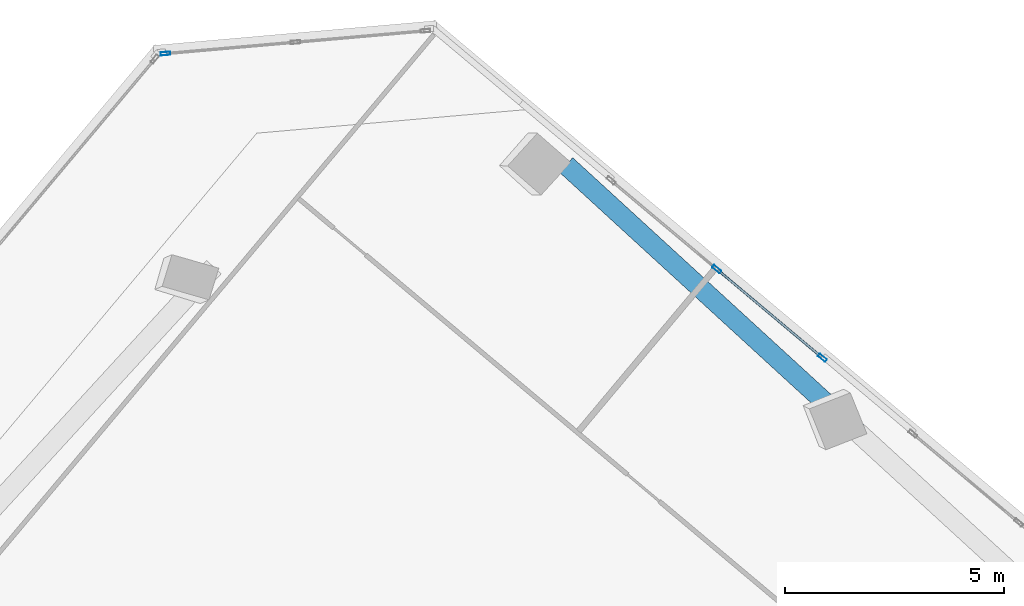
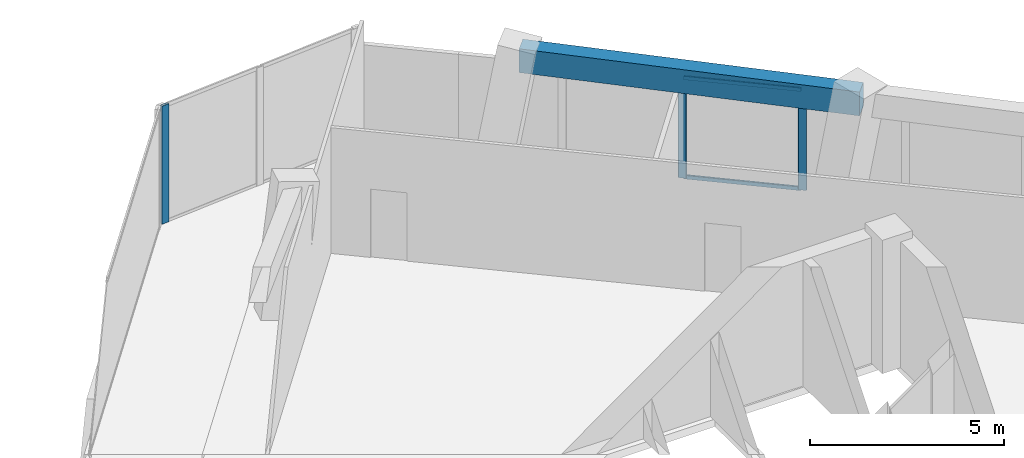
# One storey, part 10 of 18: 5 members, 1 beam, 2 elements without a shape of their own.
"""IFC4 building model written with IfcOpenShell, lengths in metres."""

from ifc_helpers import new_model, si_unit, direction, frame, origin, origin_2d, place, context, subcontext, project, spatial, rectangle, hollow_rectangle, extrude, source, transform, mapped, material, material_profile, profile_set, type_object, element, aggregate, save


model = new_model("IFC4")

# Units and contexts
model_context = context("Model", 3, precision=1e-05, world=origin(), true_north=direction((0.0, 1.0)))
body_context = subcontext(model_context, "Body", "Model", "MODEL_VIEW")
ifc_project = project(units=[si_unit("LENGTHUNIT", "METRE"), si_unit("AREAUNIT", "SQUARE_METRE"), si_unit("VOLUMEUNIT", "CUBIC_METRE"), si_unit("PLANEANGLEUNIT", "RADIAN"), si_unit("MASSUNIT", "GRAM", prefix="KILO")], contexts=[model_context])

# Site, building, storey
site_placement = place(None, origin())
site = spatial("IfcSite", under=ifc_project, at=site_placement, CompositionType="ELEMENT")
building_placement = place(site_placement, origin())
building = spatial("IfcBuilding", under=site, at=building_placement, Name="Torre Montelarca", CompositionType="ELEMENT")
storey_placement = place(building_placement, frame((0.0, 0.0, 224.800048828125)))
storey = spatial("IfcBuildingStorey", under=building, at=storey_placement, Name="L50", CompositionType="ELEMENT", Elevation=224.800048828125)

# Beam
ifc_material_1 = material(Name="Concrete C55/67", Category="concrete")
ifc_material_profile_1 = material_profile(ifc_material_1, rectangle(XDim=0.449951171875, YDim=0.75, at=origin_2d()), Name="RCB450X750", Category="concrete")
ifc_profile_set_1 = profile_set([ifc_material_profile_1], Name="Concrete C55/67")
beam_type = type_object("IfcBeamType", Name="BM-SP-RC750-EXT", PredefinedType="SPANDREL", material=ifc_profile_set_1)
shared_shape_1 = source(origin(), body_context, "Body", "SweptSolid", [
    extrude(rectangle(XDim=0.449951171875, YDim=0.75, at=origin_2d()), origin(), (0.0, 0.0, 1.0), 9.0),
])
beam_placement = place(storey_placement, frame((22.519287109375, 51.614501953125, 3.5849609375), z_axis=(0.73727686361, -0.675590724023, 0.0), x_axis=(0.675590724023, 0.73727686361, 0.0)))
element("IfcBeam", 1, at=beam_placement, inside=storey, type_object=beam_type, Name="L50 Grid Girder X 9.0-18.0 at Y=47.1", PredefinedType="SPANDREL", context=body_context, shape_type="MappedRepresentation", body=[
    mapped(shared_shape_1, transform((0.0, 0.0, 0.0), scale=1.0)),
])

# Curtain wall, member
ifc_material_2 = material(Name="Insulated low-E laminated glass", Category="glass")
curtain_wall_type = type_object("IfcCurtainWallType", Name="CW-SYS-Z3", PredefinedType="USERDEFINED", material=ifc_material_2)
curtain_wall_1_placement = place(storey_placement, origin())
curtain_wall_1 = element("IfcCurtainWall", 2, at=curtain_wall_1_placement, inside=storey, type_object=curtain_wall_type, Name="L50 Curtain Wall Run CW-T3-L50-E09-B1", ObjectType="UNITISED GLAZING", PredefinedType="USERDEFINED")
ifc_material_3 = material(Name="Anodised aluminium AA 6063-T6", Category="aluminium")
ifc_material_profile_2 = material_profile(ifc_material_3, hollow_rectangle(XDim=0.074951171875, YDim=0.219970703125, WallThickness=0.0048828125, InnerFilletRadius=0.0048828125, OuterFilletRadius=0.010009765625, at=origin_2d()), Name="ALU75X220X5", Category="aluminium")
ifc_profile_set_2 = profile_set([ifc_material_profile_2], Name="Anodised aluminium AA 6063-T6")
member_type_1 = type_object("IfcMemberType", Name="CWM-ALU220", PredefinedType="MULLION", material=ifc_profile_set_2)
shared_shape_2 = source(origin(), body_context, "Body", "SweptSolid", [
    extrude(hollow_rectangle(XDim=0.074951171875, YDim=0.219970703125, WallThickness=0.0048828125, InnerFilletRadius=0.0048828125, OuterFilletRadius=0.010009765625, at=origin_2d()), origin(), (0.0, 0.0, 1.0), 3.719970703125),
])
member_1_placement = place(storey_placement, frame((13.37744140625, 54.156494140625, 0.0), z_axis=(0.0, 0.0, 1.0), x_axis=(0.087182579501, -0.996192349816, 0.0)))
member_1 = element("IfcMember", 3, at=member_1_placement, type_object=member_type_1, Name="CW mullion 3", PredefinedType="MULLION", context=body_context, shape_type="MappedRepresentation", body=[
    mapped(shared_shape_2, transform((0.0, 0.0, 0.0), scale=1.0)),
])
aggregate(curtain_wall_1, [member_1])

# Curtain wall, members
curtain_wall_2_placement = place(storey_placement, origin())
curtain_wall_2 = element("IfcCurtainWall", 4, at=curtain_wall_2_placement, inside=storey, type_object=curtain_wall_type, Name="L50 Curtain Wall Run CW-T3-L50-E08-B3", ObjectType="UNITISED GLAZING", PredefinedType="USERDEFINED")
shared_shape_3 = source(origin(), body_context, "Body", "SweptSolid", [
    extrude(hollow_rectangle(XDim=0.074951171875, YDim=0.219970703125, WallThickness=0.0048828125, InnerFilletRadius=0.0048828125, OuterFilletRadius=0.010009765625, at=origin_2d()), origin(), (0.0, 0.0, 1.0), 3.175048828125),
])
member_2_placement = place(storey_placement, frame((28.368896484375, 47.214111328125, 0.0), z_axis=(0.0, 0.0, 1.0), x_axis=(-0.64278831371, -0.766043852372, 0.0)))
member_2 = element("IfcMember", 5, at=member_2_placement, type_object=member_type_1, Name="CW mullion 1", PredefinedType="MULLION", context=body_context, shape_type="MappedRepresentation", body=[
    mapped(shared_shape_3, transform((0.0, 0.0, 0.0), scale=1.0)),
])
member_3_placement = place(storey_placement, frame((25.958984375, 49.236328125, 0.0), z_axis=(0.0, 0.0, 1.0), x_axis=(-0.64278831371, -0.766043852372, 0.0)))
member_3 = element("IfcMember", 6, at=member_3_placement, type_object=member_type_1, Name="CW mullion 2", PredefinedType="MULLION", context=body_context, shape_type="MappedRepresentation", body=[
    mapped(shared_shape_3, transform((0.0, 0.0, 0.0), scale=1.0)),
])
ifc_material_profile_3 = material_profile(ifc_material_3, hollow_rectangle(XDim=0.054931640625, YDim=0.1201171875, WallThickness=0.00341796875, InnerFilletRadius=0.00341796875, OuterFilletRadius=0.007080078125, at=origin_2d()), Name="ALU55X120X3.5", Category="aluminium")
ifc_profile_set_3 = profile_set([ifc_material_profile_3], Name="Anodised aluminium AA 6063-T6")
member_type_2 = type_object("IfcMemberType", Name="CWT-ALU120", PredefinedType="USERDEFINED", material=ifc_profile_set_3)
shared_shape_4 = source(origin(), body_context, "Body", "SweptSolid", [
    extrude(hollow_rectangle(XDim=0.054931640625, YDim=0.1201171875, WallThickness=0.00341796875, InnerFilletRadius=0.00341796875, OuterFilletRadius=0.007080078125, at=origin_2d()), origin(), (0.0, 0.0, 1.0), 3.0712890625),
])
member_4_placement = place(storey_placement, frame((28.34033203125, 47.23828125, 0.02734375), z_axis=(-0.766060222797, 0.642768803729, 0.0), x_axis=(-0.642768803729, -0.766060222797, 0.0)))
member_4 = element("IfcMember", 7, at=member_4_placement, type_object=member_type_2, Name="CW transom 1.1", ObjectType="TRANSOM", PredefinedType="USERDEFINED", context=body_context, shape_type="MappedRepresentation", body=[
    mapped(shared_shape_4, transform((0.0, 0.0, 0.0), scale=1.0)),
])
member_5_placement = place(storey_placement, frame((28.34033203125, 47.23828125, 3.1474609375), z_axis=(-0.766060222797, 0.642768803729, 0.0), x_axis=(-0.642768803729, -0.766060222797, 0.0)))
member_5 = element("IfcMember", 8, at=member_5_placement, type_object=member_type_2, Name="CW transom 1.2", ObjectType="TRANSOM", PredefinedType="USERDEFINED", context=body_context, shape_type="MappedRepresentation", body=[
    mapped(shared_shape_4, transform((0.0, 0.0, 0.0), scale=1.0)),
])
aggregate(curtain_wall_2, [member_2, member_3, member_4, member_5])

save(model, "model.ifc")
